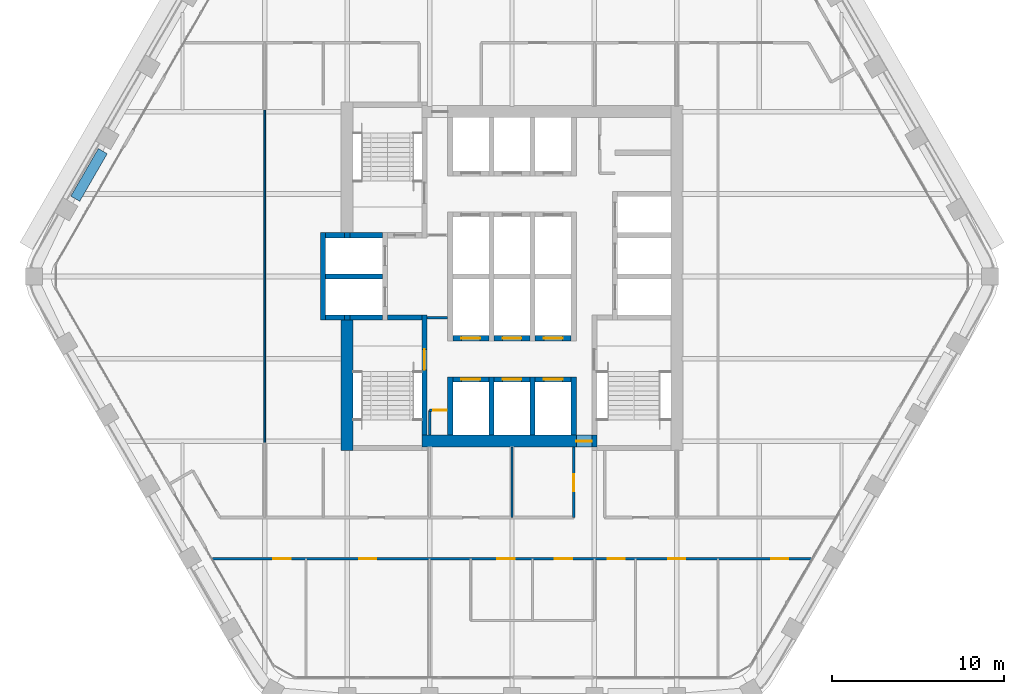
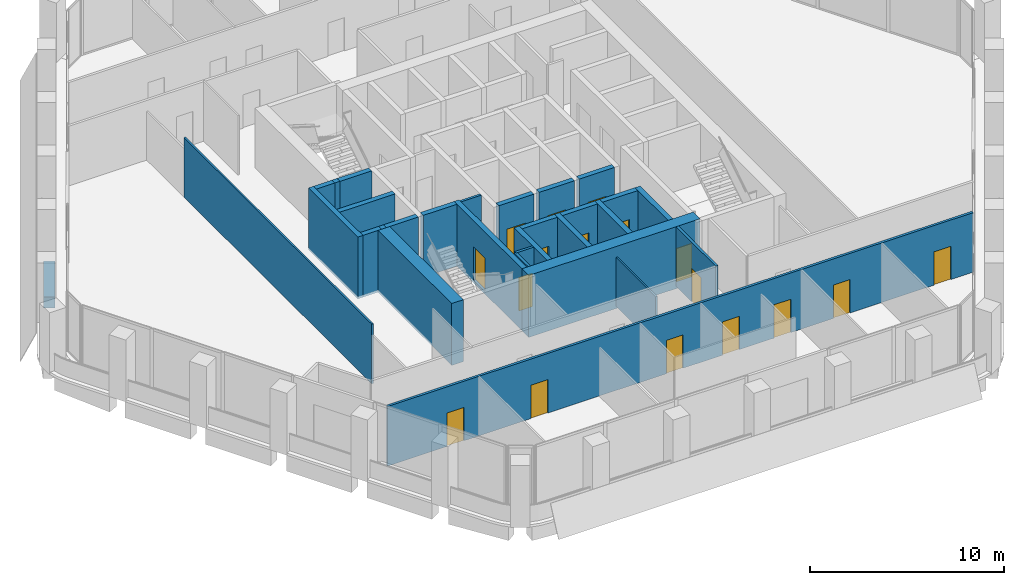
# One storey, part 9 of 15: 30 walls, 17 doors, 17 openings.
"""IFC4 building model written with IfcOpenShell, lengths in metres."""

import ifcopenshell
import ifcopenshell.guid

model = None  # the IFC model being written
_history = None  # IfcOwnerHistory: only IFC2X3 demands one
_inside = {}  # id of a spatial element -> (the spatial element, [elements in it])
_under = {}  # id of a project, library or spatial element -> (it, [spatial elements below it])
_declared = {}  # id of a project -> (the project, [libraries it declares])
_typed = {}  # id of a type object -> (the type object, [elements of that type])
_made_of = {}  # id of a material, layer set ... -> (it, [elements and type objects made of it])


def new_model(schema):
    """Start an empty IFC model of exactly this schema.

    Asked for "IFC4X3", IfcOpenShell would pick the latest addendum, in which some entities
    have other attributes; the version numbers below select the first issue.
    IFC2X3 requires an IfcOwnerHistory on every rooted entity: one is made here for all.
    """
    global model, _history
    if schema == "IFC4X3":
        model = ifcopenshell.file(schema_version=(4, 3, 0, 0))
    else:
        model = ifcopenshell.file(schema=schema)
    _inside.clear()
    _under.clear()
    _declared.clear()
    _typed.clear()
    _made_of.clear()
    _history = None
    if model.schema == "IFC2X3":
        org = make("IfcOrganization", Name="unknown")
        user = make(
            "IfcPersonAndOrganization",
            ThePerson=make("IfcPerson", FamilyName="unknown"),
            TheOrganization=org,
        )
        app = make(
            "IfcApplication",
            ApplicationDeveloper=org,
            Version="unknown",
            ApplicationFullName="unknown",
            ApplicationIdentifier="unknown",
        )
        _history = make(
            "IfcOwnerHistory",
            OwningUser=user,
            OwningApplication=app,
            ChangeAction="ADDED",
            CreationDate=0,
        )
    return model


def make(cls, **values):
    """One entity of the class cls with the attributes given. An attribute that is None is left unset."""
    return model.create_entity(
        cls, **{name: value for name, value in values.items() if value is not None}
    )


def rooted(cls, **values):
    """An entity with a GlobalId (a new one), such as an element, a storey or a relation."""
    return make(cls, GlobalId=ifcopenshell.guid.new(), OwnerHistory=_history, **values)


def si_unit(unit_type, name, prefix=None):
    """IfcSIUnit, for example si_unit("LENGTHUNIT", "METRE", prefix="MILLI")."""
    return make("IfcSIUnit", UnitType=unit_type, Prefix=prefix, Name=name)


def assignment(units):
    """IfcUnitAssignment: the units of a project."""
    return None if units is None else make("IfcUnitAssignment", Units=units)


def point(xyz):
    """IfcCartesianPoint."""
    return None if xyz is None else make("IfcCartesianPoint", Coordinates=xyz)


def direction(xyz):
    """IfcDirection."""
    return None if xyz is None else make("IfcDirection", DirectionRatios=xyz)


def frame(location, z_axis=None, x_axis=None):
    """IfcAxis2Placement3D, a coordinate frame: its origin and axes. An axis left out is left unset."""
    return make(
        "IfcAxis2Placement3D",
        Location=point(location),
        Axis=direction(z_axis),
        RefDirection=direction(x_axis),
    )


def frame_2d(location, x_axis=None):
    """IfcAxis2Placement2D, a coordinate frame in the plane: its origin and x axis."""
    return make(
        "IfcAxis2Placement2D", Location=point(location), RefDirection=direction(x_axis)
    )


def origin():
    """The frame at (0, 0, 0) with its axes left unset."""
    return frame((0.0, 0.0, 0.0))


def place(relative_to, where):
    """IfcLocalPlacement: puts the frame where relative to a parent placement (None: the world)."""
    return make(
        "IfcLocalPlacement", PlacementRelTo=relative_to, RelativePlacement=where
    )


def context(
    kind, dimensions, precision=None, world=None, true_north=None, identifier=None
):
    """IfcGeometricRepresentationContext, for example the 3D "Model" context."""
    return make(
        "IfcGeometricRepresentationContext",
        ContextIdentifier=identifier,
        ContextType=kind,
        CoordinateSpaceDimension=dimensions,
        Precision=precision,
        WorldCoordinateSystem=world,
        TrueNorth=true_north,
    )


def subcontext(parent, identifier, kind, view, scale=None):
    """IfcGeometricRepresentationSubContext, for example "Body" below "Model"."""
    return make(
        "IfcGeometricRepresentationSubContext",
        ContextIdentifier=identifier,
        ContextType=kind,
        ParentContext=parent,
        TargetScale=scale,
        TargetView=view,
    )


def project(units=None, contexts=None):
    """IfcProject with its units and contexts."""
    return rooted(
        "IfcProject",
        Name="project",
        RepresentationContexts=contexts,
        UnitsInContext=assignment(units),
    )


def spatial(cls, under=None, at=None, **own):
    """A site, building, storey or space (cls), placed at a placement, below another one or the project."""
    s = rooted(cls, ObjectPlacement=at, **own)
    if under is not None:
        _under.setdefault(under.id(), (under, []))[1].append(s)
    return s


def profile(cls, at=None, kind="AREA", **sizes):
    """A parametric profile (cls). Its sizes go by their IFC names, for example OverallWidth=200.0."""
    return make(cls, ProfileType=kind, Position=at, **sizes)


def rectangle(**sizes):
    """IfcRectangleProfileDef."""
    return profile("IfcRectangleProfileDef", **sizes)


def extrude(swept, where, along, depth):
    """IfcExtrudedAreaSolid: the profile swept, set in the frame where, extruded along a direction by depth."""
    return make(
        "IfcExtrudedAreaSolid",
        SweptArea=swept,
        Position=where,
        ExtrudedDirection=direction(along),
        Depth=depth,
    )


def shape(context_of_items, identifier, shape_type, items):
    """IfcShapeRepresentation: the items that make up one representation, for example the "Body"."""
    return make(
        "IfcShapeRepresentation",
        ContextOfItems=context_of_items,
        RepresentationIdentifier=identifier,
        RepresentationType=shape_type,
        Items=items,
    )


def material(Name=None, Category=None):
    """IfcMaterial."""
    return make("IfcMaterial", Name=Name, Category=Category)


def layer(
    of_material, thickness, ventilated=None, Name=None, Category=None, Priority=None
):
    """IfcMaterialLayer: one layer of a wall or slab, of a material (None: an air gap)."""
    return make(
        "IfcMaterialLayer",
        Material=of_material,
        LayerThickness=thickness,
        IsVentilated=ventilated,
        Name=Name,
        Category=Category,
        Priority=Priority,
    )


def layer_set(layers, Name=None):
    """IfcMaterialLayerSet."""
    return make("IfcMaterialLayerSet", MaterialLayers=layers, LayerSetName=Name)


def made_of(thing, what):
    """Note that an element or type object is made of a material, layer set ...; save() writes the relation."""
    if what is not None:
        _made_of.setdefault(what.id(), (what, []))[1].append(thing)
    return thing


def type_object(cls, material=None, **own):
    """A type object (cls), such as IfcWallType, which elements share."""
    return made_of(rooted(cls, **own), material)


def element(
    cls,
    number,
    at=None,
    inside=None,
    cuts=None,
    type_object=None,
    material=None,
    context=None,
    identifier="Body",
    shape_type=None,
    held_by="IfcProductDefinitionShape",
    body=None,
    shapes=None,
    **own,
):
    """One element of the class cls, such as IfcWall. Its Tag is "e" and its number.

    at: its placement. inside: the storey or other place that contains it. cuts: it is an
    opening in that element (IfcRelVoidsElement). A single representation is given by context,
    identifier, shape_type and body (its items); several are given by shapes. held_by: the class
    of the entity that holds the representations. save() writes the other relations.
    """
    e = rooted(cls, Tag="e%d" % number, ObjectPlacement=at, **own)
    if body is not None:
        shapes = [shape(context, identifier, shape_type, body)]
    if shapes is not None:
        e.Representation = make(held_by, Representations=shapes)
    if inside is not None:
        _inside.setdefault(inside.id(), (inside, []))[1].append(e)
    if cuts is not None:
        rooted(
            "IfcRelVoidsElement", RelatingBuildingElement=cuts, RelatedOpeningElement=e
        )
    if type_object is not None:
        _typed.setdefault(type_object.id(), (type_object, []))[1].append(e)
    return made_of(e, material)


def fill(opening, filler):
    """IfcRelFillsElement: the door or window that sits in an opening."""
    return rooted(
        "IfcRelFillsElement",
        RelatingOpeningElement=opening,
        RelatedBuildingElement=filler,
    )


def aggregate(whole, parts):
    """IfcRelAggregates: a whole, such as a stair, and the parts it consists of."""
    return rooted("IfcRelAggregates", RelatingObject=whole, RelatedObjects=parts)


def save(model, path):
    """Write the relations noted so far, then the file.

    IfcRelAggregates (storeys below a building ...), IfcRelContainedInSpatialStructure (elements
    in a storey), IfcRelDefinesByType, IfcRelAssociatesMaterial and IfcRelDeclares: one each for
    every whole, place, type object, material and project.
    """
    for whole, parts in _under.values():
        aggregate(whole, parts)
    for where, things in _inside.values():
        rooted(
            "IfcRelContainedInSpatialStructure",
            RelatedElements=things,
            RelatingStructure=where,
        )
    for kind, things in _typed.values():
        rooted("IfcRelDefinesByType", RelatedObjects=things, RelatingType=kind)
    for what, things in _made_of.values():
        rooted("IfcRelAssociatesMaterial", RelatedObjects=things, RelatingMaterial=what)
    for by, libraries in _declared.values():
        rooted("IfcRelDeclares", RelatingContext=by, RelatedDefinitions=libraries)
    model.write(path)


model = new_model("IFC4")

# Units and contexts
model_context = context("Model", 3, precision=1e-05, world=origin(), true_north=direction((0.0, 1.0)))
body_context = subcontext(model_context, "Body", "Model", "MODEL_VIEW")
ifc_project = project(units=[si_unit("LENGTHUNIT", "METRE"), si_unit("AREAUNIT", "SQUARE_METRE"), si_unit("VOLUMEUNIT", "CUBIC_METRE"), si_unit("PLANEANGLEUNIT", "RADIAN"), si_unit("MASSUNIT", "GRAM", prefix="KILO")], contexts=[model_context])

# Site, building, storey
site_placement = place(None, origin())
site = spatial("IfcSite", under=ifc_project, at=site_placement, CompositionType="ELEMENT")
building_placement = place(site_placement, origin())
building = spatial("IfcBuilding", under=site, at=building_placement, Name="Kolab Exchange Tower", CompositionType="ELEMENT")
storey_placement = place(building_placement, frame((0.0, 0.0, 170.0)))
storey = spatial("IfcBuildingStorey", under=building, at=storey_placement, Name="L35", CompositionType="ELEMENT", Elevation=170.0)

# Wall, opening, door
ifc_material_1 = material(Name="Concrete C60/75", Category="concrete")
ifc_layer_1 = layer(ifc_material_1, 0.699951171875)
ifc_layer_set_1 = layer_set([ifc_layer_1], Name="Concrete C60/75")
wall_type_1 = type_object("IfcWallType", Name="CORE WALL 700 C60/75", PredefinedType="SHEAR", material=ifc_layer_set_1)
wall_1_placement = place(storey_placement, frame((-5.25, -9.60009765625, -0.14990234375), z_axis=(0.0, 0.0, 1.0), x_axis=(1.0, 0.0, 0.0)))
wall_1 = element("IfcWall", 1, at=wall_1_placement, inside=storey, type_object=wall_type_1, Name="wall/L35/core/002", PredefinedType="SHEAR", context=body_context, shape_type="SweptSolid", body=[
    extrude(rectangle(XDim=10.199951171875, YDim=0.699951171875, at=frame_2d((5.10009765625, 0.0))), origin(), (0.0, 0.0, 1.0), 3.89990234375),
])
opening_1_placement = place(wall_1_placement, frame((9.0, 0.0, 0.14990234375)))
opening_1 = element("IfcOpeningElement", 2, at=opening_1_placement, cuts=wall_1, Name="Opening D6-287", PredefinedType="OPENING", context=body_context, shape_type="SweptSolid", body=[
    extrude(rectangle(XDim=0.89990234375, YDim=2.10009765625, at=frame_2d((0.449951171875, 1.050048828125))), frame((0.0, 0.35986328125, 0.0), z_axis=(0.0, -1.0, 0.0), x_axis=(1.0, 0.0, 0.0)), (0.0, 0.0, 1.0), 0.719970703125),
])
ifc_material_2 = material(Name="Steel S235", Category="steel")
door_type_1 = type_object("IfcDoorType", Name="CORE DOOR 900 EI 120", OperationType="SINGLE_SWING_LEFT", PredefinedType="DOOR", material=ifc_material_2)
door_1_placement = place(opening_1_placement, origin())
door_1 = element("IfcDoor", 3, at=door_1_placement, inside=storey, type_object=door_type_1, Name="Core lobby door", OperationType="SINGLE_SWING_LEFT", OverallHeight=2.10009765625, OverallWidth=0.89990234375, PredefinedType="DOOR", context=body_context, shape_type="SweptSolid", body=[
    extrude(rectangle(XDim=0.89990234375, YDim=2.10009765625, at=frame_2d((0.449951171875, 1.050048828125))), frame((0.0, 0.02490234375, 0.0), z_axis=(0.0, -1.0, 0.0), x_axis=(1.0, 0.0, 0.0)), (0.0, 0.0, 1.0), 0.050048828125),
])
fill(opening_1, door_1)

# Wall
wall_2_placement = place(storey_placement, frame((-9.60009765625, -10.14990234375, -0.14990234375), z_axis=(0.0, 0.0, 1.0), x_axis=(0.0, 1.0, 0.0)))
element("IfcWall", 4, at=wall_2_placement, inside=storey, type_object=wall_type_1, Name="wall/L35/core/034", PredefinedType="SHEAR", context=body_context, shape_type="SweptSolid", body=[
    extrude(rectangle(XDim=7.599853515625, YDim=0.699951171875, at=frame_2d((3.7998046875, 0.0))), origin(), (0.0, 0.0, 1.0), 3.89990234375),
])

# Wall, opening, door
ifc_material_3 = material(Name="Concrete C50/60", Category="concrete")
ifc_layer_2 = layer(ifc_material_3, 0.300048828125)
ifc_layer_set_2 = layer_set([ifc_layer_2], Name="Concrete C50/60")
wall_type_2 = type_object("IfcWallType", Name="LIFT SHAFT WALL 300 C50/60", PredefinedType="STANDARD", material=ifc_layer_set_2)
wall_3_placement = place(storey_placement, frame((-3.449951171875, -6.0, -0.14990234375), z_axis=(0.0, 0.0, 1.0), x_axis=(1.0, 0.0, 0.0)))
wall_3 = element("IfcWall", 5, at=wall_3_placement, inside=storey, type_object=wall_type_2, Name="wall/L35/core/003", PredefinedType="STANDARD", context=body_context, shape_type="SweptSolid", body=[
    extrude(rectangle(XDim=2.099853515625, YDim=0.300048828125, at=frame_2d((1.0498046875, 0.0))), origin(), (0.0, 0.0, 1.0), 3.89990234375),
])
opening_2_placement = place(wall_3_placement, frame((0.5, 0.0, 0.14990234375)))
opening_2 = element("IfcOpeningElement", 6, at=opening_2_placement, cuts=wall_3, Name="Opening LD1-110", PredefinedType="OPENING", context=body_context, shape_type="SweptSolid", body=[
    extrude(rectangle(XDim=1.10009765625, YDim=2.10009765625, at=frame_2d((0.550048828125, 1.050048828125))), frame((0.0, 0.16015625, 0.0), z_axis=(0.0, -1.0, 0.0), x_axis=(1.0, 0.0, 0.0)), (0.0, 0.0, 1.0), 0.320068359375),
])
ifc_material_4 = material(Name="Stainless steel 316", Category="steel")
door_type_2 = type_object("IfcDoorType", Name="LANDING DOOR 1100 PASSENGER", OperationType="DOUBLE_DOOR_SLIDING", PredefinedType="DOOR", material=ifc_material_4)
door_2_placement = place(opening_2_placement, origin())
door_2 = element("IfcDoor", 7, at=door_2_placement, inside=storey, type_object=door_type_2, Name="Landing door HR10", OperationType="DOUBLE_DOOR_SLIDING", OverallHeight=2.10009765625, OverallWidth=1.10009765625, PredefinedType="DOOR", context=body_context, shape_type="SweptSolid", body=[
    extrude(rectangle(XDim=1.10009765625, YDim=2.10009765625, at=frame_2d((0.550048828125, 1.050048828125))), frame((0.0, 0.02490234375, 0.0), z_axis=(0.0, -1.0, 0.0), x_axis=(1.0, 0.0, 0.0)), (0.0, 0.0, 1.0), 0.050048828125),
])
fill(opening_2, door_2)

wall_4_placement = place(storey_placement, frame((-1.050048828125, -6.0, -0.14990234375), z_axis=(0.0, 0.0, 1.0), x_axis=(1.0, 0.0, 0.0)))
wall_4 = element("IfcWall", 8, at=wall_4_placement, inside=storey, type_object=wall_type_2, Name="wall/L35/core/004", PredefinedType="STANDARD", context=body_context, shape_type="SweptSolid", body=[
    extrude(rectangle(XDim=2.10009765625, YDim=0.300048828125, at=frame_2d((1.050048828125, 0.0))), origin(), (0.0, 0.0, 1.0), 3.89990234375),
])
opening_3_placement = place(wall_4_placement, frame((0.5, 0.0, 0.14990234375)))
opening_3 = element("IfcOpeningElement", 9, at=opening_3_placement, cuts=wall_4, Name="Opening LD1-111", PredefinedType="OPENING", context=body_context, shape_type="SweptSolid", body=[
    extrude(rectangle(XDim=1.10009765625, YDim=2.10009765625, at=frame_2d((0.550048828125, 1.050048828125))), frame((0.0, 0.16015625, 0.0), z_axis=(0.0, -1.0, 0.0), x_axis=(1.0, 0.0, 0.0)), (0.0, 0.0, 1.0), 0.320068359375),
])
door_3_placement = place(opening_3_placement, origin())
door_3 = element("IfcDoor", 10, at=door_3_placement, inside=storey, type_object=door_type_2, Name="Landing door HR11", OperationType="DOUBLE_DOOR_SLIDING", OverallHeight=2.10009765625, OverallWidth=1.10009765625, PredefinedType="DOOR", context=body_context, shape_type="SweptSolid", body=[
    extrude(rectangle(XDim=1.10009765625, YDim=2.10009765625, at=frame_2d((0.550048828125, 1.050048828125))), frame((0.0, 0.02490234375, 0.0), z_axis=(0.0, -1.0, 0.0), x_axis=(1.0, 0.0, 0.0)), (0.0, 0.0, 1.0), 0.050048828125),
])
fill(opening_3, door_3)

wall_5_placement = place(storey_placement, frame((1.35009765625, -6.0, -0.14990234375), z_axis=(0.0, 0.0, 1.0), x_axis=(1.0, 0.0, 0.0)))
wall_5 = element("IfcWall", 11, at=wall_5_placement, inside=storey, type_object=wall_type_2, Name="wall/L35/core/005", PredefinedType="STANDARD", context=body_context, shape_type="SweptSolid", body=[
    extrude(rectangle(XDim=2.099853515625, YDim=0.300048828125, at=frame_2d((1.0498046875, 0.0))), origin(), (0.0, 0.0, 1.0), 3.89990234375),
])
opening_4_placement = place(wall_5_placement, frame((0.5, 0.0, 0.14990234375)))
opening_4 = element("IfcOpeningElement", 12, at=opening_4_placement, cuts=wall_5, Name="Opening LD1-112", PredefinedType="OPENING", context=body_context, shape_type="SweptSolid", body=[
    extrude(rectangle(XDim=1.10009765625, YDim=2.10009765625, at=frame_2d((0.550048828125, 1.050048828125))), frame((0.0, 0.16015625, 0.0), z_axis=(0.0, -1.0, 0.0), x_axis=(1.0, 0.0, 0.0)), (0.0, 0.0, 1.0), 0.320068359375),
])
door_4_placement = place(opening_4_placement, origin())
door_4 = element("IfcDoor", 13, at=door_4_placement, inside=storey, type_object=door_type_2, Name="Landing door HR12", OperationType="DOUBLE_DOOR_SLIDING", OverallHeight=2.10009765625, OverallWidth=1.10009765625, PredefinedType="DOOR", context=body_context, shape_type="SweptSolid", body=[
    extrude(rectangle(XDim=1.10009765625, YDim=2.10009765625, at=frame_2d((0.550048828125, 1.050048828125))), frame((0.0, 0.02490234375, 0.0), z_axis=(0.0, -1.0, 0.0), x_axis=(1.0, 0.0, 0.0)), (0.0, 0.0, 1.0), 0.050048828125),
])
fill(opening_4, door_4)

wall_6_placement = place(storey_placement, frame((-3.449951171875, -3.60009765625, -0.14990234375), z_axis=(0.0, 0.0, 1.0), x_axis=(1.0, 0.0, 0.0)))
wall_6 = element("IfcWall", 14, at=wall_6_placement, inside=storey, type_object=wall_type_2, Name="wall/L35/core/006", PredefinedType="STANDARD", context=body_context, shape_type="SweptSolid", body=[
    extrude(rectangle(XDim=2.099853515625, YDim=0.300048828125, at=frame_2d((1.0498046875, 0.0))), origin(), (0.0, 0.0, 1.0), 3.89990234375),
])
opening_5_placement = place(wall_6_placement, frame((0.5, 0.0, 0.14990234375)))
opening_5 = element("IfcOpeningElement", 15, at=opening_5_placement, cuts=wall_6, Name="Opening LD1-118", PredefinedType="OPENING", context=body_context, shape_type="SweptSolid", body=[
    extrude(rectangle(XDim=1.10009765625, YDim=2.10009765625, at=frame_2d((0.550048828125, 1.050048828125))), frame((0.0, 0.16015625, 0.0), z_axis=(0.0, -1.0, 0.0), x_axis=(1.0, 0.0, 0.0)), (0.0, 0.0, 1.0), 0.320068359375),
])
door_5_placement = place(opening_5_placement, origin())
door_5 = element("IfcDoor", 16, at=door_5_placement, inside=storey, type_object=door_type_2, Name="Landing door HR7", OperationType="DOUBLE_DOOR_SLIDING", OverallHeight=2.10009765625, OverallWidth=1.10009765625, PredefinedType="DOOR", context=body_context, shape_type="SweptSolid", body=[
    extrude(rectangle(XDim=1.10009765625, YDim=2.10009765625, at=frame_2d((0.550048828125, 1.050048828125))), frame((0.0, 0.02490234375, 0.0), z_axis=(0.0, -1.0, 0.0), x_axis=(1.0, 0.0, 0.0)), (0.0, 0.0, 1.0), 0.050048828125),
])
fill(opening_5, door_5)

wall_7_placement = place(storey_placement, frame((-1.050048828125, -3.60009765625, -0.14990234375), z_axis=(0.0, 0.0, 1.0), x_axis=(1.0, 0.0, 0.0)))
wall_7 = element("IfcWall", 17, at=wall_7_placement, inside=storey, type_object=wall_type_2, Name="wall/L35/core/007", PredefinedType="STANDARD", context=body_context, shape_type="SweptSolid", body=[
    extrude(rectangle(XDim=2.10009765625, YDim=0.300048828125, at=frame_2d((1.050048828125, 0.0))), origin(), (0.0, 0.0, 1.0), 3.89990234375),
])
opening_6_placement = place(wall_7_placement, frame((0.5, 0.0, 0.14990234375)))
opening_6 = element("IfcOpeningElement", 18, at=opening_6_placement, cuts=wall_7, Name="Opening LD1-119", PredefinedType="OPENING", context=body_context, shape_type="SweptSolid", body=[
    extrude(rectangle(XDim=1.10009765625, YDim=2.10009765625, at=frame_2d((0.550048828125, 1.050048828125))), frame((0.0, 0.16015625, 0.0), z_axis=(0.0, -1.0, 0.0), x_axis=(1.0, 0.0, 0.0)), (0.0, 0.0, 1.0), 0.320068359375),
])
door_6_placement = place(opening_6_placement, origin())
door_6 = element("IfcDoor", 19, at=door_6_placement, inside=storey, type_object=door_type_2, Name="Landing door HR8", OperationType="DOUBLE_DOOR_SLIDING", OverallHeight=2.10009765625, OverallWidth=1.10009765625, PredefinedType="DOOR", context=body_context, shape_type="SweptSolid", body=[
    extrude(rectangle(XDim=1.10009765625, YDim=2.10009765625, at=frame_2d((0.550048828125, 1.050048828125))), frame((0.0, 0.02490234375, 0.0), z_axis=(0.0, -1.0, 0.0), x_axis=(1.0, 0.0, 0.0)), (0.0, 0.0, 1.0), 0.050048828125),
])
fill(opening_6, door_6)

wall_8_placement = place(storey_placement, frame((1.35009765625, -3.60009765625, -0.14990234375), z_axis=(0.0, 0.0, 1.0), x_axis=(1.0, 0.0, 0.0)))
wall_8 = element("IfcWall", 20, at=wall_8_placement, inside=storey, type_object=wall_type_2, Name="wall/L35/core/008", PredefinedType="STANDARD", context=body_context, shape_type="SweptSolid", body=[
    extrude(rectangle(XDim=2.099853515625, YDim=0.300048828125, at=frame_2d((1.0498046875, 0.0))), origin(), (0.0, 0.0, 1.0), 3.89990234375),
])
opening_7_placement = place(wall_8_placement, frame((0.5, 0.0, 0.14990234375)))
opening_7 = element("IfcOpeningElement", 21, at=opening_7_placement, cuts=wall_8, Name="Opening LD1-120", PredefinedType="OPENING", context=body_context, shape_type="SweptSolid", body=[
    extrude(rectangle(XDim=1.10009765625, YDim=2.10009765625, at=frame_2d((0.550048828125, 1.050048828125))), frame((0.0, 0.16015625, 0.0), z_axis=(0.0, -1.0, 0.0), x_axis=(1.0, 0.0, 0.0)), (0.0, 0.0, 1.0), 0.320068359375),
])
door_7_placement = place(opening_7_placement, origin())
door_7 = element("IfcDoor", 22, at=door_7_placement, inside=storey, type_object=door_type_2, Name="Landing door HR9", OperationType="DOUBLE_DOOR_SLIDING", OverallHeight=2.10009765625, OverallWidth=1.10009765625, PredefinedType="DOOR", context=body_context, shape_type="SweptSolid", body=[
    extrude(rectangle(XDim=1.10009765625, YDim=2.10009765625, at=frame_2d((0.550048828125, 1.050048828125))), frame((0.0, 0.02490234375, 0.0), z_axis=(0.0, -1.0, 0.0), x_axis=(1.0, 0.0, 0.0)), (0.0, 0.0, 1.0), 0.050048828125),
])
fill(opening_7, door_7)

# Walls
wall_9_placement = place(storey_placement, frame((-10.85009765625, -2.39990234375, -0.14990234375), z_axis=(0.0, 0.0, 1.0), x_axis=(1.0, 0.0, 0.0)))
element("IfcWall", 23, at=wall_9_placement, inside=storey, type_object=wall_type_2, Name="wall/L35/core/009", PredefinedType="STANDARD", context=body_context, shape_type="SweptSolid", body=[
    extrude(rectangle(XDim=1.10009765625, YDim=0.300048828125, at=frame_2d((0.550048828125, 0.0))), origin(), (0.0, 0.0, 1.0), 3.89990234375),
])
wall_10_placement = place(storey_placement, frame((-10.85009765625, 0.0, -0.14990234375), z_axis=(0.0, 0.0, 1.0), x_axis=(1.0, 0.0, 0.0)))
element("IfcWall", 24, at=wall_10_placement, inside=storey, type_object=wall_type_2, Name="wall/L35/core/014", PredefinedType="STANDARD", context=body_context, shape_type="SweptSolid", body=[
    extrude(rectangle(XDim=3.300048828125, YDim=0.300048828125, at=frame_2d((1.64990234375, 0.0))), origin(), (0.0, 0.0, 1.0), 3.89990234375),
])
wall_11_placement = place(storey_placement, frame((-10.85009765625, 2.39990234375, -0.14990234375), z_axis=(0.0, 0.0, 1.0), x_axis=(1.0, 0.0, 0.0)))
element("IfcWall", 25, at=wall_11_placement, inside=storey, type_object=wall_type_2, Name="wall/L35/core/019", PredefinedType="STANDARD", context=body_context, shape_type="SweptSolid", body=[
    extrude(rectangle(XDim=1.10009765625, YDim=0.300048828125, at=frame_2d((0.550048828125, 0.0))), origin(), (0.0, 0.0, 1.0), 3.89990234375),
])
wall_12_placement = place(storey_placement, frame((-11.0, -2.550048828125, -0.14990234375), z_axis=(0.0, 0.0, 1.0), x_axis=(0.0, 1.0, 0.0)))
element("IfcWall", 26, at=wall_12_placement, inside=storey, type_object=wall_type_2, Name="wall/L35/core/033", PredefinedType="STANDARD", context=body_context, shape_type="SweptSolid", body=[
    extrude(rectangle(XDim=5.10009765625, YDim=0.300048828125, at=frame_2d((2.550048828125, 0.0))), origin(), (0.0, 0.0, 1.0), 3.89990234375),
])
for number, where, z_axis, x_axis, name in (
    (27, (-3.60009765625, -9.25, -0.14990234375), (0.0, 0.0, 1.0), (0.0, 1.0, 0.0), "wall/L35/core/043"),
    (28, (-1.199951171875, -9.25, -0.14990234375), (0.0, 0.0, 1.0), (0.0, 1.0, 0.0), "wall/L35/core/046"),
    (29, (1.199951171875, -9.25, -0.14990234375), (0.0, 0.0, 1.0), (0.0, 1.0, 0.0), "wall/L35/core/049"),
    (30, (3.60009765625, -9.25, -0.14990234375), (0.0, 0.0, 1.0), (0.0, 1.0, 0.0), "wall/L35/core/052"),
):
    element("IfcWall", number, at=place(storey_placement, frame(where, z_axis=z_axis, x_axis=x_axis)), inside=storey, type_object=wall_type_2, Name=name, PredefinedType="STANDARD", context=body_context, shape_type="SweptSolid", body=[
        extrude(rectangle(XDim=3.39990234375, YDim=0.300048828125, at=frame_2d((1.699951171875, 0.0))), origin(), (0.0, 0.0, 1.0), 3.89990234375),
    ])
ifc_material_5 = material(Name="Gypsum board", Category="gypsum")
ifc_layer_3 = layer(ifc_material_5, 0.10009765625)
ifc_layer_set_3 = layer_set([ifc_layer_3], Name="Gypsum board")
wall_type_3 = type_object("IfcWallType", Name="PARTITION 100", PredefinedType="PARTITIONING", material=ifc_layer_set_3)
wall_13_placement = place(storey_placement, frame((0.0, -14.04150390625, 0.0), z_axis=(0.0, 0.0, 1.0), x_axis=(0.0, 1.0, 0.0)))
element("IfcWall", 31, at=wall_13_placement, inside=storey, type_object=wall_type_3, Name="Partition 015", PredefinedType="PARTITIONING", context=body_context, shape_type="SweptSolid", body=[
    extrude(rectangle(XDim=4.091552734375, YDim=0.10009765625, at=frame_2d((2.0458984375, 0.0))), origin(), (0.0, 0.0, 1.0), 3.06591796875),
])
wall_14_placement = place(storey_placement, frame((-14.39990234375, -9.693603515625, 0.0), z_axis=(0.0, 0.0, 1.0), x_axis=(0.0, 1.0, 0.0)))
element("IfcWall", 32, at=wall_14_placement, inside=storey, type_object=wall_type_3, Name="Partition 029", PredefinedType="PARTITIONING", context=body_context, shape_type="SweptSolid", body=[
    extrude(rectangle(XDim=19.38720703125, YDim=0.10009765625, at=frame_2d((9.693603515625, 0.0))), origin(), (0.0, 0.0, 1.0), 3.75),
])

# Wall, opening, door
ifc_layer_4 = layer(ifc_material_5, 0.14990234375)
ifc_layer_set_4 = layer_set([ifc_layer_4], Name="Gypsum board")
wall_type_4 = type_object("IfcWallType", Name="PARTITION 150 FIRE-RATED", PredefinedType="PARTITIONING", material=ifc_layer_set_4)
wall_15_placement = place(storey_placement, frame((3.60009765625, -14.04150390625, 0.0), z_axis=(0.0, 0.0, 1.0), x_axis=(0.0, 1.0, 0.0)))
wall_15 = element("IfcWall", 33, at=wall_15_placement, inside=storey, type_object=wall_type_4, Name="Partition 012", PredefinedType="PARTITIONING", context=body_context, shape_type="SweptSolid", body=[
    extrude(rectangle(XDim=4.091552734375, YDim=0.14990234375, at=frame_2d((2.0458984375, 0.0))), origin(), (0.0, 0.0, 1.0), 3.75),
])
opening_8_placement = place(wall_15_placement, frame((1.520751953125, 0.0, 0.0)))
opening_8 = element("IfcOpeningElement", 34, at=opening_8_placement, cuts=wall_15, Name="Opening D1-476", PredefinedType="OPENING", context=body_context, shape_type="SweptSolid", body=[
    extrude(rectangle(XDim=1.0, YDim=2.10009765625, at=frame_2d((0.5, 1.050048828125))), frame((0.0, 0.0849609375, 0.0), z_axis=(0.0, -1.0, 0.0), x_axis=(1.0, 0.0, 0.0)), (0.0, 0.0, 1.0), 0.169921875),
])
door_type_3 = type_object("IfcDoorType", Name="FLUSH DOOR 1000 FD60", OperationType="SINGLE_SWING_LEFT", PredefinedType="DOOR", material=ifc_material_2)
door_8_placement = place(opening_8_placement, origin())
door_8 = element("IfcDoor", 35, at=door_8_placement, inside=storey, type_object=door_type_3, Name="Door L35-037", OperationType="SINGLE_SWING_RIGHT", OverallHeight=2.10009765625, OverallWidth=1.0, PredefinedType="DOOR", context=body_context, shape_type="SweptSolid", body=[
    extrude(rectangle(XDim=1.0, YDim=2.10009765625, at=frame_2d((0.5, 1.050048828125))), frame((0.0, 0.02490234375, 0.0), z_axis=(0.0, -1.0, 0.0), x_axis=(1.0, 0.0, 0.0)), (0.0, 0.0, 1.0), 0.050048828125),
])
fill(opening_8, door_8)

# Wall
wall_16_placement = place(storey_placement, frame((-4.800048828125, -9.25, 0.0), z_axis=(0.0, 0.0, 1.0), x_axis=(0.0, 1.0, 0.0)))
element("IfcWall", 36, at=wall_16_placement, inside=storey, type_object=wall_type_4, Name="Partition 022", PredefinedType="PARTITIONING", context=body_context, shape_type="SweptSolid", body=[
    extrude(rectangle(XDim=1.449951171875, YDim=0.14990234375, at=frame_2d((0.72509765625, 0.0))), origin(), (0.0, 0.0, 1.0), 3.75),
])

# Wall, openings, doors
wall_17_placement = place(storey_placement, frame((-17.43701171875, -16.44140625, 0.0), z_axis=(0.0, 0.0, 1.0), x_axis=(1.0, 0.0, 0.0)))
wall_17 = element("IfcWall", 37, at=wall_17_placement, inside=storey, type_object=wall_type_4, Name="Partition 035", PredefinedType="PARTITIONING", context=body_context, shape_type="SweptSolid", body=[
    extrude(rectangle(XDim=34.8740234375, YDim=0.14990234375, at=frame_2d((17.43701171875, 0.0))), origin(), (0.0, 0.0, 1.0), 3.75),
])
opening_9_placement = place(wall_17_placement, frame((16.591796875, 0.0, 0.0)))
opening_9 = element("IfcOpeningElement", 38, at=opening_9_placement, cuts=wall_17, Name="Opening D1-485", PredefinedType="OPENING", context=body_context, shape_type="SweptSolid", body=[
    extrude(rectangle(XDim=1.0, YDim=2.10009765625, at=frame_2d((0.5, 1.050048828125))), frame((0.0, 0.0849609375, 0.0), z_axis=(0.0, -1.0, 0.0), x_axis=(1.0, 0.0, 0.0)), (0.0, 0.0, 1.0), 0.169921875),
])
opening_10_placement = place(wall_17_placement, frame((19.93701171875, 0.0, 0.0)))
opening_10 = element("IfcOpeningElement", 39, at=opening_10_placement, cuts=wall_17, Name="Opening D1-486", PredefinedType="OPENING", context=body_context, shape_type="SweptSolid", body=[
    extrude(rectangle(XDim=1.0, YDim=2.10009765625, at=frame_2d((0.5, 1.050048828125))), frame((0.0, 0.0849609375, 0.0), z_axis=(0.0, -1.0, 0.0), x_axis=(1.0, 0.0, 0.0)), (0.0, 0.0, 1.0), 0.169921875),
])
opening_11_placement = place(wall_17_placement, frame((3.54052734375, 0.0, 0.0)))
opening_11 = element("IfcOpeningElement", 40, at=opening_11_placement, cuts=wall_17, Name="Opening D1-487", PredefinedType="OPENING", context=body_context, shape_type="SweptSolid", body=[
    extrude(rectangle(XDim=1.0, YDim=2.10009765625, at=frame_2d((0.5, 1.050048828125))), frame((0.0, 0.0849609375, 0.0), z_axis=(0.0, -1.0, 0.0), x_axis=(1.0, 0.0, 0.0)), (0.0, 0.0, 1.0), 0.169921875),
])
opening_12_placement = place(wall_17_placement, frame((8.536865234375, 0.0, 0.0)))
opening_12 = element("IfcOpeningElement", 41, at=opening_12_placement, cuts=wall_17, Name="Opening D1-488", PredefinedType="OPENING", context=body_context, shape_type="SweptSolid", body=[
    extrude(rectangle(XDim=1.0, YDim=2.10009765625, at=frame_2d((0.5, 1.050048828125))), frame((0.0, 0.0849609375, 0.0), z_axis=(0.0, -1.0, 0.0), x_axis=(1.0, 0.0, 0.0)), (0.0, 0.0, 1.0), 0.169921875),
])
opening_13_placement = place(wall_17_placement, frame((23.011962890625, 0.0, 0.0)))
opening_13 = element("IfcOpeningElement", 42, at=opening_13_placement, cuts=wall_17, Name="Opening D1-489", PredefinedType="OPENING", context=body_context, shape_type="SweptSolid", body=[
    extrude(rectangle(XDim=1.0, YDim=2.10009765625, at=frame_2d((0.5, 1.050048828125))), frame((0.0, 0.0849609375, 0.0), z_axis=(0.0, -1.0, 0.0), x_axis=(1.0, 0.0, 0.0)), (0.0, 0.0, 1.0), 0.169921875),
])
opening_14_placement = place(wall_17_placement, frame((26.536865234375, 0.0, 0.0)))
opening_14 = element("IfcOpeningElement", 43, at=opening_14_placement, cuts=wall_17, Name="Opening D1-490", PredefinedType="OPENING", context=body_context, shape_type="SweptSolid", body=[
    extrude(rectangle(XDim=1.0, YDim=2.10009765625, at=frame_2d((0.5, 1.050048828125))), frame((0.0, 0.0849609375, 0.0), z_axis=(0.0, -1.0, 0.0), x_axis=(1.0, 0.0, 0.0)), (0.0, 0.0, 1.0), 0.169921875),
])
opening_15_placement = place(wall_17_placement, frame((32.53076171875, 0.0, 0.0)))
opening_15 = element("IfcOpeningElement", 44, at=opening_15_placement, cuts=wall_17, Name="Opening D1-491", PredefinedType="OPENING", context=body_context, shape_type="SweptSolid", body=[
    extrude(rectangle(XDim=1.0, YDim=2.10009765625, at=frame_2d((0.5, 1.050048828125))), frame((0.0, 0.0849609375, 0.0), z_axis=(0.0, -1.0, 0.0), x_axis=(1.0, 0.0, 0.0)), (0.0, 0.0, 1.0), 0.169921875),
])
door_9_placement = place(opening_9_placement, frame((1.0, 0.0, 0.0), z_axis=(0.0, 0.0, 1.0), x_axis=(-1.0, 0.0, 0.0)))
door_9 = element("IfcDoor", 45, at=door_9_placement, inside=storey, type_object=door_type_3, Name="Door L35-046", OperationType="SINGLE_SWING_RIGHT", OverallHeight=2.10009765625, OverallWidth=1.0, PredefinedType="DOOR", context=body_context, shape_type="SweptSolid", body=[
    extrude(rectangle(XDim=1.0, YDim=2.10009765625, at=frame_2d((0.5, 1.050048828125))), frame((0.0, 0.02490234375, 0.0), z_axis=(0.0, -1.0, 0.0), x_axis=(1.0, 0.0, 0.0)), (0.0, 0.0, 1.0), 0.050048828125),
])
fill(opening_9, door_9)
door_10_placement = place(opening_10_placement, frame((1.0, 0.0, 0.0), z_axis=(0.0, 0.0, 1.0), x_axis=(-1.0, 0.0, 0.0)))
door_10 = element("IfcDoor", 46, at=door_10_placement, inside=storey, type_object=door_type_3, Name="Door L35-047", OperationType="SINGLE_SWING_RIGHT", OverallHeight=2.10009765625, OverallWidth=1.0, PredefinedType="DOOR", context=body_context, shape_type="SweptSolid", body=[
    extrude(rectangle(XDim=1.0, YDim=2.10009765625, at=frame_2d((0.5, 1.050048828125))), frame((0.0, 0.02490234375, 0.0), z_axis=(0.0, -1.0, 0.0), x_axis=(1.0, 0.0, 0.0)), (0.0, 0.0, 1.0), 0.050048828125),
])
fill(opening_10, door_10)
door_11_placement = place(opening_11_placement, frame((1.0, 0.0, 0.0), z_axis=(0.0, 0.0, 1.0), x_axis=(-1.0, 0.0, 0.0)))
door_11 = element("IfcDoor", 47, at=door_11_placement, inside=storey, type_object=door_type_3, Name="Door L35-048", OperationType="SINGLE_SWING_RIGHT", OverallHeight=2.10009765625, OverallWidth=1.0, PredefinedType="DOOR", context=body_context, shape_type="SweptSolid", body=[
    extrude(rectangle(XDim=1.0, YDim=2.10009765625, at=frame_2d((0.5, 1.050048828125))), frame((0.0, 0.02490234375, 0.0), z_axis=(0.0, -1.0, 0.0), x_axis=(1.0, 0.0, 0.0)), (0.0, 0.0, 1.0), 0.050048828125),
])
fill(opening_11, door_11)
door_12_placement = place(opening_12_placement, frame((1.0, 0.0, 0.0), z_axis=(0.0, 0.0, 1.0), x_axis=(-1.0, 0.0, 0.0)))
door_12 = element("IfcDoor", 48, at=door_12_placement, inside=storey, type_object=door_type_3, Name="Door L35-049", OperationType="SINGLE_SWING_LEFT", OverallHeight=2.10009765625, OverallWidth=1.0, PredefinedType="DOOR", context=body_context, shape_type="SweptSolid", body=[
    extrude(rectangle(XDim=1.0, YDim=2.10009765625, at=frame_2d((0.5, 1.050048828125))), frame((0.0, 0.02490234375, 0.0), z_axis=(0.0, -1.0, 0.0), x_axis=(1.0, 0.0, 0.0)), (0.0, 0.0, 1.0), 0.050048828125),
])
fill(opening_12, door_12)
door_13_placement = place(opening_13_placement, frame((1.0, 0.0, 0.0), z_axis=(0.0, 0.0, 1.0), x_axis=(-1.0, 0.0, 0.0)))
door_13 = element("IfcDoor", 49, at=door_13_placement, inside=storey, type_object=door_type_3, Name="Door L35-050", OperationType="SINGLE_SWING_RIGHT", OverallHeight=2.10009765625, OverallWidth=1.0, PredefinedType="DOOR", context=body_context, shape_type="SweptSolid", body=[
    extrude(rectangle(XDim=1.0, YDim=2.10009765625, at=frame_2d((0.5, 1.050048828125))), frame((0.0, 0.02490234375, 0.0), z_axis=(0.0, -1.0, 0.0), x_axis=(1.0, 0.0, 0.0)), (0.0, 0.0, 1.0), 0.050048828125),
])
fill(opening_13, door_13)
door_14_placement = place(opening_14_placement, frame((1.0, 0.0, 0.0), z_axis=(0.0, 0.0, 1.0), x_axis=(-1.0, 0.0, 0.0)))
door_14 = element("IfcDoor", 50, at=door_14_placement, inside=storey, type_object=door_type_3, Name="Door L35-051", OperationType="SINGLE_SWING_LEFT", OverallHeight=2.10009765625, OverallWidth=1.0, PredefinedType="DOOR", context=body_context, shape_type="SweptSolid", body=[
    extrude(rectangle(XDim=1.0, YDim=2.10009765625, at=frame_2d((0.5, 1.050048828125))), frame((0.0, 0.02490234375, 0.0), z_axis=(0.0, -1.0, 0.0), x_axis=(1.0, 0.0, 0.0)), (0.0, 0.0, 1.0), 0.050048828125),
])
fill(opening_14, door_14)
door_15_placement = place(opening_15_placement, frame((1.0, 0.0, 0.0), z_axis=(0.0, 0.0, 1.0), x_axis=(-1.0, 0.0, 0.0)))
door_15 = element("IfcDoor", 51, at=door_15_placement, inside=storey, type_object=door_type_3, Name="Door L35-052", OperationType="SINGLE_SWING_RIGHT", OverallHeight=2.10009765625, OverallWidth=1.0, PredefinedType="DOOR", context=body_context, shape_type="SweptSolid", body=[
    extrude(rectangle(XDim=1.0, YDim=2.10009765625, at=frame_2d((0.5, 1.050048828125))), frame((0.0, 0.02490234375, 0.0), z_axis=(0.0, -1.0, 0.0), x_axis=(1.0, 0.0, 0.0)), (0.0, 0.0, 1.0), 0.050048828125),
])
fill(opening_15, door_15)

# Wall, opening, door
wall_18_placement = place(storey_placement, frame((-4.800048828125, -7.800048828125, 0.0), z_axis=(0.0, 0.0, 1.0), x_axis=(1.0, 0.0, 0.0)))
wall_18 = element("IfcWall", 52, at=wall_18_placement, inside=storey, type_object=wall_type_4, Name="Partition 038", PredefinedType="PARTITIONING", context=body_context, shape_type="SweptSolid", body=[
    extrude(rectangle(XDim=1.050048828125, YDim=0.14990234375, at=frame_2d((0.52490234375, 0.0))), origin(), (0.0, 0.0, 1.0), 3.75),
])
opening_16_placement = place(wall_18_placement, frame((0.199951171875, 0.0, 0.0)))
opening_16 = element("IfcOpeningElement", 53, at=opening_16_placement, cuts=wall_18, Name="Opening D7-031", PredefinedType="OPENING", context=body_context, shape_type="SweptSolid", body=[
    extrude(rectangle(XDim=0.800048828125, YDim=2.10009765625, at=frame_2d((0.39990234375, 1.050048828125))), frame((0.0, 0.0849609375, 0.0), z_axis=(0.0, -1.0, 0.0), x_axis=(1.0, 0.0, 0.0)), (0.0, 0.0, 1.0), 0.169921875),
])
door_type_4 = type_object("IfcDoorType", Name="FLUSH DOOR 800 FD60", OperationType="SINGLE_SWING_LEFT", PredefinedType="DOOR", material=ifc_material_2)
door_16_placement = place(opening_16_placement, frame((0.800048828125, 0.0, 0.0), z_axis=(0.0, 0.0, 1.0), x_axis=(-1.0, 0.0, 0.0)))
door_16 = element("IfcDoor", 54, at=door_16_placement, inside=storey, type_object=door_type_4, Name="Door L35-024", OperationType="SINGLE_SWING_RIGHT", OverallHeight=2.10009765625, OverallWidth=0.800048828125, PredefinedType="DOOR", context=body_context, shape_type="SweptSolid", body=[
    extrude(rectangle(XDim=0.800048828125, YDim=2.10009765625, at=frame_2d((0.39990234375, 1.050048828125))), frame((0.0, 0.02490234375, 0.0), z_axis=(0.0, -1.0, 0.0), x_axis=(1.0, 0.0, 0.0)), (0.0, 0.0, 1.0), 0.050048828125),
])
fill(opening_16, door_16)

# Walls
wall_19_placement = place(storey_placement, frame((-4.949951171875, -2.39990234375, 0.0), z_axis=(0.0, 0.0, 1.0), x_axis=(1.0, 0.0, 0.0)))
element("IfcWall", 55, at=wall_19_placement, inside=storey, type_object=wall_type_4, Name="Fire partition", PredefinedType="PARTITIONING", context=body_context, shape_type="SweptSolid", body=[
    extrude(rectangle(XDim=1.199951171875, YDim=0.14990234375, at=frame_2d((0.60009765625, 0.0))), origin(), (0.0, 0.0, 1.0), 3.75),
])
ifc_material_6 = material(Name="Granite facing", Category="masonry")
ifc_layer_5 = layer(ifc_material_6, 0.0400390625)
ifc_material_7 = material(Name="Concrete C40/50 precast", Category="concrete")
ifc_layer_6 = layer(ifc_material_7, 0.56005859375)
ifc_layer_set_5 = layer_set([ifc_layer_5, ifc_layer_6], Name="Concrete C40/50 precast")
wall_type_5 = type_object("IfcWallType", Name="PLANTER BOX 600 X 700 SOIL DEPTH 550", PredefinedType="USERDEFINED", material=ifc_layer_set_5)
wall_20_placement = place(storey_placement, frame((-25.43701171875, 4.524658203125, 0.0), z_axis=(0.0, 0.0, 1.0), x_axis=(0.499938187974, 0.866061088033, 0.0)))
element("IfcWall", 56, at=wall_20_placement, inside=storey, type_object=wall_type_5, Name="Planter", ObjectType="PLANTER", PredefinedType="USERDEFINED", context=body_context, shape_type="SweptSolid", body=[
    extrude(rectangle(XDim=3.2001953125, YDim=0.60009765625, at=frame_2d((1.60009765625, 0.0))), origin(), (0.0, 0.0, 1.0), 0.699951171875),
])
ifc_layer_7 = layer(ifc_material_3, 0.300048828125)
ifc_layer_set_6 = layer_set([ifc_layer_7], Name="Concrete C50/60")
wall_type_6 = type_object("IfcWallType", Name="STAIR ENCLOSURE WALL 300 C50/60", PredefinedType="STANDARD", material=ifc_layer_set_6)
wall_21_placement = place(storey_placement, frame((-9.449951171875, -2.39990234375, -0.14990234375), z_axis=(0.0, 0.0, 1.0), x_axis=(1.0, 0.0, 0.0)))
element("IfcWall", 57, at=wall_21_placement, inside=storey, type_object=wall_type_6, Name="wall/L35/core/010", PredefinedType="STANDARD", context=body_context, shape_type="SweptSolid", body=[
    extrude(rectangle(XDim=1.89990234375, YDim=0.300048828125, at=frame_2d((0.949951171875, 0.0))), origin(), (0.0, 0.0, 1.0), 3.89990234375),
])
wall_22_placement = place(storey_placement, frame((-7.25, -2.39990234375, -0.14990234375), z_axis=(0.0, 0.0, 1.0), x_axis=(1.0, 0.0, 0.0)))
element("IfcWall", 58, at=wall_22_placement, inside=storey, type_object=wall_type_6, Name="wall/L35/core/011", PredefinedType="STANDARD", context=body_context, shape_type="SweptSolid", body=[
    extrude(rectangle(XDim=2.0, YDim=0.300048828125, at=frame_2d((1.0, 0.0))), origin(), (0.0, 0.0, 1.0), 3.89990234375),
])
wall_23_placement = place(storey_placement, frame((-9.449951171875, 2.39990234375, -0.14990234375), z_axis=(0.0, 0.0, 1.0), x_axis=(1.0, 0.0, 0.0)))
element("IfcWall", 59, at=wall_23_placement, inside=storey, type_object=wall_type_6, Name="wall/L35/core/020", PredefinedType="STANDARD", context=body_context, shape_type="SweptSolid", body=[
    extrude(rectangle(XDim=1.89990234375, YDim=0.300048828125, at=frame_2d((0.949951171875, 0.0))), origin(), (0.0, 0.0, 1.0), 3.89990234375),
])
for number, where, z_axis, x_axis, name in (
    (60, (-9.60009765625, -2.550048828125, -0.14990234375), (0.0, 0.0, 1.0), (0.0, 1.0, 0.0), "wall/L35/core/035"),
    (61, (-9.60009765625, 2.25, -0.14990234375), (0.0, 0.0, 1.0), (0.0, 1.0, 0.0), "wall/L35/core/036"),
):
    element("IfcWall", number, at=place(storey_placement, frame(where, z_axis=z_axis, x_axis=x_axis)), inside=storey, type_object=wall_type_6, Name=name, PredefinedType="STANDARD", context=body_context, shape_type="SweptSolid", body=[
        extrude(rectangle(XDim=0.300048828125, YDim=0.300048828125, at=frame_2d((0.14990234375, 0.0))), origin(), (0.0, 0.0, 1.0), 3.89990234375),
    ])

# Wall, opening, door
wall_24_placement = place(storey_placement, frame((-5.10009765625, -9.25, -0.14990234375), z_axis=(0.0, 0.0, 1.0), x_axis=(0.0, 1.0, 0.0)))
wall_24 = element("IfcWall", 62, at=wall_24_placement, inside=storey, type_object=wall_type_6, Name="wall/L35/core/040", PredefinedType="STANDARD", context=body_context, shape_type="SweptSolid", body=[
    extrude(rectangle(XDim=7.0, YDim=0.300048828125, at=frame_2d((3.5, 0.0))), origin(), (0.0, 0.0, 1.0), 3.89990234375),
])
opening_17_placement = place(wall_24_placement, frame((3.800048828125, 0.0, 0.14990234375)))
opening_17 = element("IfcOpeningElement", 63, at=opening_17_placement, cuts=wall_24, Name="Opening D4-068", PredefinedType="OPENING", context=body_context, shape_type="SweptSolid", body=[
    extrude(rectangle(XDim=1.199951171875, YDim=2.10009765625, at=frame_2d((0.60009765625, 1.050048828125))), frame((0.0, 0.16015625, 0.0), z_axis=(0.0, -1.0, 0.0), x_axis=(1.0, 0.0, 0.0)), (0.0, 0.0, 1.0), 0.320068359375),
])
door_type_5 = type_object("IfcDoorType", Name="STAIR DOOR 1200 EI 120", OperationType="SINGLE_SWING_LEFT", PredefinedType="DOOR", material=ifc_material_2)
door_17_placement = place(opening_17_placement, origin())
door_17 = element("IfcDoor", 64, at=door_17_placement, inside=storey, type_object=door_type_5, Name="Stair 3 door", OperationType="SINGLE_SWING_RIGHT", OverallHeight=2.10009765625, OverallWidth=1.199951171875, PredefinedType="DOOR", context=body_context, shape_type="SweptSolid", body=[
    extrude(rectangle(XDim=1.199951171875, YDim=2.10009765625, at=frame_2d((0.60009765625, 1.050048828125))), frame((0.0, 0.02490234375, 0.0), z_axis=(0.0, -1.0, 0.0), x_axis=(1.0, 0.0, 0.0)), (0.0, 0.0, 1.0), 0.050048828125),
])
fill(opening_17, door_17)

save(model, "model.ifc")
